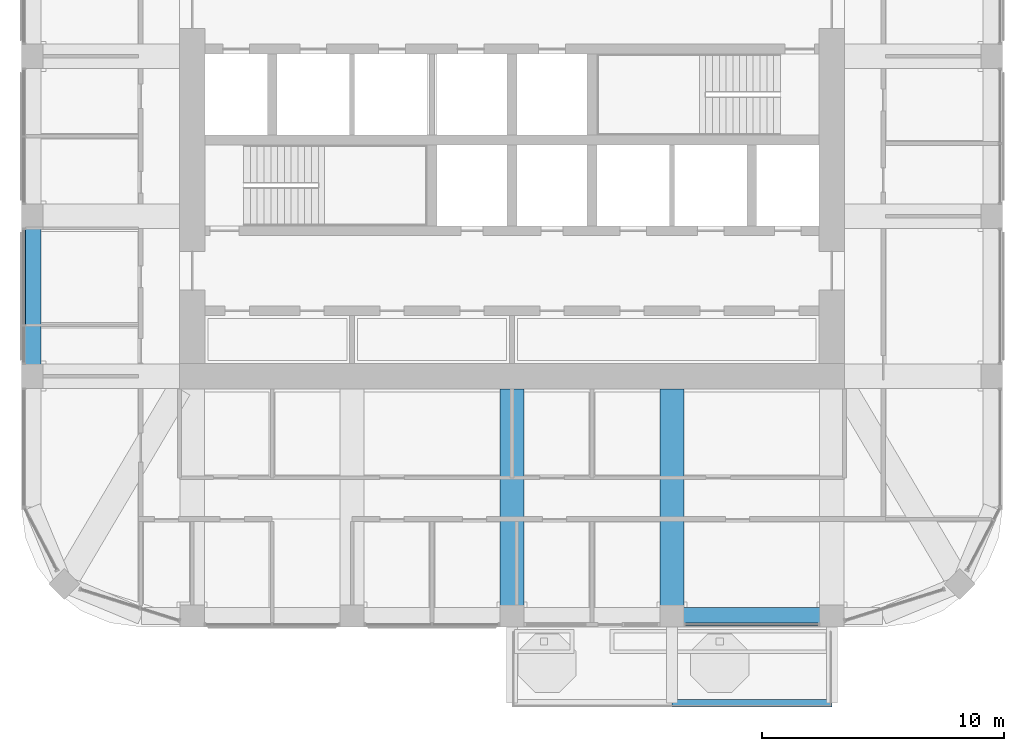
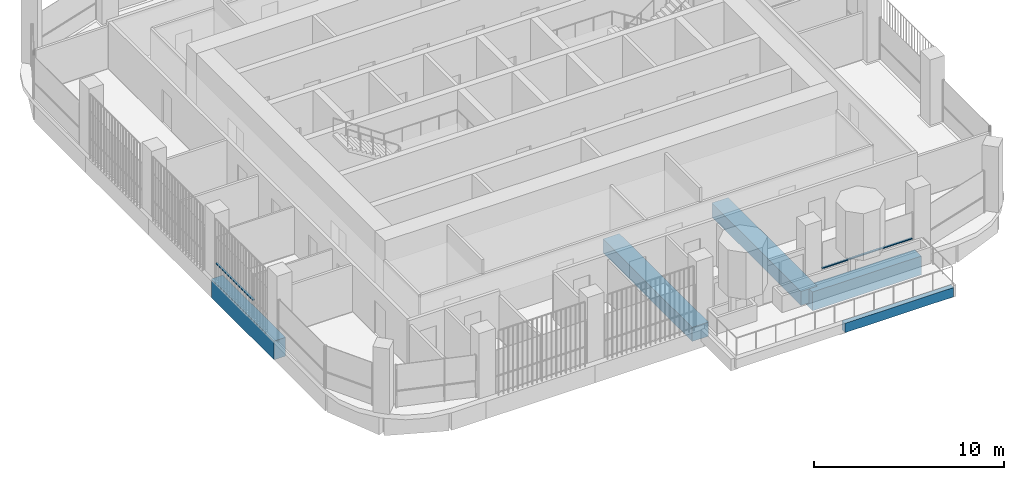
# One storey, part 3 of 21: 5 beams, 2 members, 2 elements without a shape of their own.
"""IFC4 building model written with IfcOpenShell, lengths in metres."""

from ifc_helpers import new_model, si_unit, direction, frame, origin, origin_2d, place, context, subcontext, project, spatial, rectangle, extrude, material, material_profile, profile_set, type_object, element, aggregate, save


model = new_model("IFC4")

# Units and contexts
model_context = context("Model", 3, precision=1e-05, world=origin(), true_north=direction((0.0, 1.0)))
body_context = subcontext(model_context, "Body", "Model", "MODEL_VIEW")
ifc_project = project(units=[si_unit("LENGTHUNIT", "METRE"), si_unit("AREAUNIT", "SQUARE_METRE"), si_unit("VOLUMEUNIT", "CUBIC_METRE"), si_unit("PLANEANGLEUNIT", "RADIAN"), si_unit("MASSUNIT", "GRAM", prefix="KILO")], contexts=[model_context])

# Site, building, storey
site_placement = place(None, origin())
site = spatial("IfcSite", under=ifc_project, at=site_placement, CompositionType="ELEMENT")
building_placement = place(site_placement, origin())
building = spatial("IfcBuilding", under=site, at=building_placement, Name="Cobogo Forest Laboratory Tower", CompositionType="ELEMENT")
storey_placement = place(building_placement, frame((0.0, 0.0, 258.60009765625)))
storey = spatial("IfcBuildingStorey", under=building, at=storey_placement, Name="L59", CompositionType="ELEMENT", Elevation=258.60009765625)

# Beams
ifc_material_1 = material(Name="Concrete HA-40 (C40/50)", Category="concrete")
ifc_material_profile_1 = material_profile(ifc_material_1, rectangle(XDim=0.300048828125, YDim=0.60009765625, at=origin_2d()), Name="RC 300x600")
ifc_profile_set_1 = profile_set([ifc_material_profile_1], Name="Concrete HA-40 (C40/50)")
beam_type_1 = type_object("IfcBeamType", Name="Balcony edge beam 300x600", PredefinedType="BEAM", material=ifc_profile_set_1)
beam_placement = place(storey_placement, frame((33.0, -0.300048828125, -0.550048828125), z_axis=(1.0, 0.0, 0.0), x_axis=(0.0, 1.0, 0.0)))
element("IfcBeam", 1, at=beam_placement, inside=storey, type_object=beam_type_1, Name="BB1 BAL-S1-T2 L59", PredefinedType="BEAM", context=body_context, shape_type="SweptSolid", body=[
    extrude(rectangle(XDim=0.300048828125, YDim=0.60009765625, at=origin_2d()), origin(), (0.0, 0.0, 1.0), 6.60009765625),
])
ifc_material_profile_2 = material_profile(ifc_material_1, rectangle(XDim=1.0, YDim=0.89990234375, at=origin_2d()), Name="RC 1000x900")
ifc_profile_set_2 = profile_set([ifc_material_profile_2], Name="Concrete HA-40 (C40/50)")
beam_type_2 = type_object("IfcBeamType", Name="Office floor wide beam 1000x900", PredefinedType="BEAM", material=ifc_profile_set_2)
for number, where, z_axis, x_axis, name in (
    (2, (26.39990234375, 12.675048828125, -0.75), (0.0, -1.0, 0.0), (1.0, 0.0, 0.0), "RB2 R-5-S L59"),
    (3, (33.0, 12.675048828125, -0.75), (0.0, -1.0, 0.0), (1.0, 0.0, 0.0), "RB2 R-6-S L59"),
):
    element("IfcBeam", number, at=place(storey_placement, frame(where, z_axis=z_axis, x_axis=x_axis)), inside=storey, type_object=beam_type_2, Name=name, PredefinedType="BEAM", context=body_context, shape_type="SweptSolid", body=[
        extrude(rectangle(XDim=1.0, YDim=0.89990234375, at=origin_2d()), origin(), (0.0, 0.0, 1.0), 9.375),
    ])
ifc_material_profile_3 = material_profile(ifc_material_1, rectangle(XDim=0.699951171875, YDim=1.199951171875, at=origin_2d()), Name="RC 700x1200")
ifc_profile_set_3 = profile_set([ifc_material_profile_3], Name="Concrete HA-40 (C40/50)")
beam_type_3 = type_object("IfcBeamType", Name="Perimeter edge beam 700x1200", PredefinedType="BEAM", material=ifc_profile_set_3)
for number, where, z_axis, x_axis, name in (
    (4, (33.0, 3.300048828125, -0.900146484375), (1.0, 0.0, 0.0), (0.0, 1.0, 0.0), "EB1 E-S4 L59"),
    (5, (6.60009765625, 13.199951171875, -0.900146484375), (0.0, 1.0, 0.0), (-1.0, 0.0, 0.0), "EB1 E-W1 L59"),
):
    element("IfcBeam", number, at=place(storey_placement, frame(where, z_axis=z_axis, x_axis=x_axis)), inside=storey, type_object=beam_type_3, Name=name, PredefinedType="BEAM", context=body_context, shape_type="SweptSolid", body=[
        extrude(rectangle(XDim=0.699951171875, YDim=1.199951171875, at=origin_2d()), origin(), (0.0, 0.0, 1.0), 6.60009765625),
    ])

# Curtain wall, member
ifc_material_2 = material(Name="Aluminium curtain wall", Category="aluminium")
curtain_wall_type = type_object("IfcCurtainWallType", Name="CW-2 unitised curtain wall, solar control glazing, laboratory floors zones C and D", PredefinedType="USERDEFINED", material=ifc_material_2)
curtain_wall_1_placement = place(storey_placement, origin())
curtain_wall_1 = element("IfcCurtainWall", 6, at=curtain_wall_1_placement, inside=storey, type_object=curtain_wall_type, Name="Curtain wall 04 L59", ObjectType="UNITISED CURTAIN WALL", PredefinedType="USERDEFINED")
ifc_material_3 = material(Name="Aluminium transom", Category="aluminium")
ifc_material_profile_4 = material_profile(ifc_material_3, rectangle(XDim=0.1201171875, YDim=0.06005859375, at=origin_2d()), Name="AL 60x120")
ifc_profile_set_4 = profile_set([ifc_material_profile_4], Name="Aluminium transom")
member_type = type_object("IfcMemberType", Name="TR-1 aluminium transom 60x120", PredefinedType="USERDEFINED", material=ifc_profile_set_4)
member_1_placement = place(storey_placement, frame((33.56005859375, 2.949951171875, 1.0498046875), z_axis=(1.0, 0.0, 0.0), x_axis=(0.0, 1.0, 0.0)))
member_1 = element("IfcMember", 7, at=member_1_placement, type_object=member_type, Name="CW-2 transom 1.1", ObjectType="TRANSOM", PredefinedType="USERDEFINED", context=body_context, shape_type="SweptSolid", body=[
    extrude(rectangle(XDim=0.1201171875, YDim=0.06005859375, at=origin_2d()), origin(), (0.0, 0.0, 1.0), 5.47998046875),
])
aggregate(curtain_wall_1, [member_1])

curtain_wall_2_placement = place(storey_placement, origin())
curtain_wall_2 = element("IfcCurtainWall", 8, at=curtain_wall_2_placement, inside=storey, type_object=curtain_wall_type, Name="Curtain wall 23 L59", ObjectType="UNITISED CURTAIN WALL", PredefinedType="USERDEFINED")
member_2_placement = place(storey_placement, frame((6.25, 19.239990234375, 1.0498046875), z_axis=(0.0, -1.0, 0.0), x_axis=(1.0, 0.0, 0.0)))
member_2 = element("IfcMember", 9, at=member_2_placement, type_object=member_type, Name="CW-2 transom 1.1", ObjectType="TRANSOM", PredefinedType="USERDEFINED", context=body_context, shape_type="SweptSolid", body=[
    extrude(rectangle(XDim=0.1201171875, YDim=0.06005859375, at=origin_2d()), origin(), (0.0, 0.0, 1.0), 3.909912109375),
])
aggregate(curtain_wall_2, [member_2])

save(model, "model.ifc")
